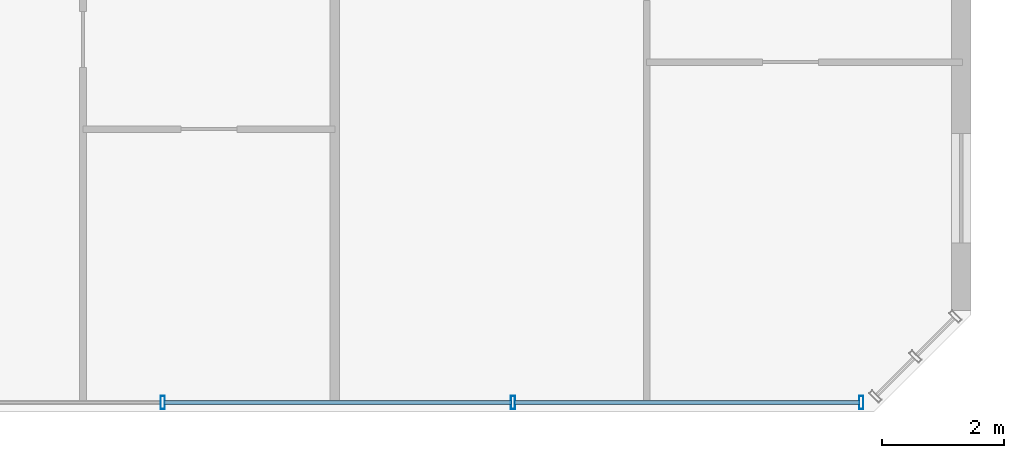
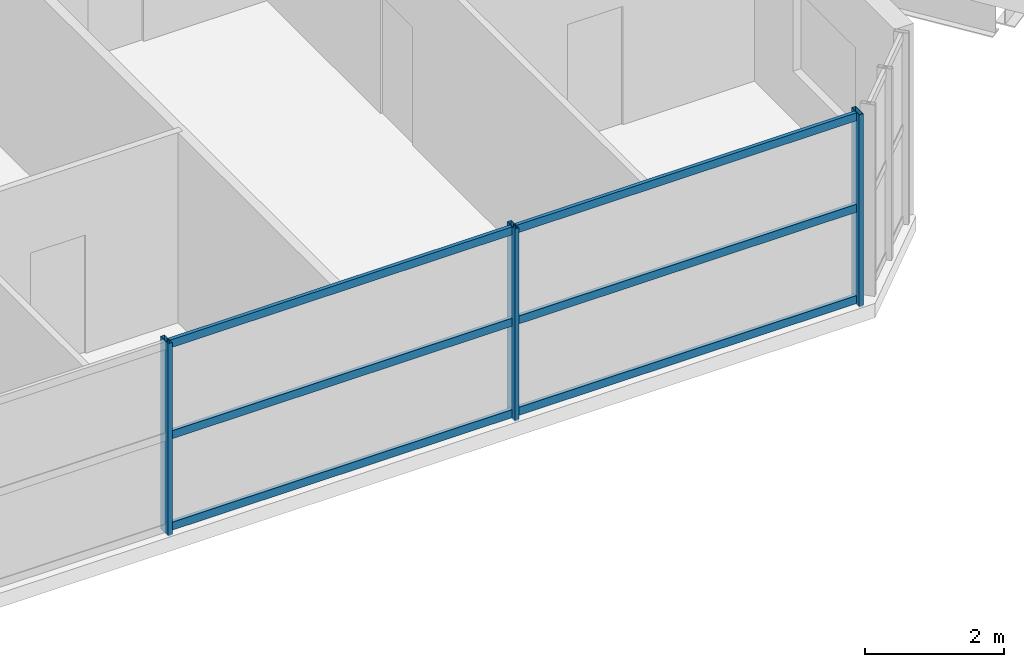
# One storey, part 7 of 24: 9 members, 1 element without a shape of its own.
"""IFC4 building model written with IfcOpenShell, lengths in metres."""

import ifcopenshell
import ifcopenshell.guid

model = None  # the IFC model being written
_history = None  # IfcOwnerHistory: only IFC2X3 demands one
_inside = {}  # id of a spatial element -> (the spatial element, [elements in it])
_under = {}  # id of a project, library or spatial element -> (it, [spatial elements below it])
_declared = {}  # id of a project -> (the project, [libraries it declares])
_typed = {}  # id of a type object -> (the type object, [elements of that type])
_made_of = {}  # id of a material, layer set ... -> (it, [elements and type objects made of it])


def new_model(schema):
    """Start an empty IFC model of exactly this schema.

    Asked for "IFC4X3", IfcOpenShell would pick the latest addendum, in which some entities
    have other attributes; the version numbers below select the first issue.
    IFC2X3 requires an IfcOwnerHistory on every rooted entity: one is made here for all.
    """
    global model, _history
    if schema == "IFC4X3":
        model = ifcopenshell.file(schema_version=(4, 3, 0, 0))
    else:
        model = ifcopenshell.file(schema=schema)
    _inside.clear()
    _under.clear()
    _declared.clear()
    _typed.clear()
    _made_of.clear()
    _history = None
    if model.schema == "IFC2X3":
        org = make("IfcOrganization", Name="unknown")
        user = make(
            "IfcPersonAndOrganization",
            ThePerson=make("IfcPerson", FamilyName="unknown"),
            TheOrganization=org,
        )
        app = make(
            "IfcApplication",
            ApplicationDeveloper=org,
            Version="unknown",
            ApplicationFullName="unknown",
            ApplicationIdentifier="unknown",
        )
        _history = make(
            "IfcOwnerHistory",
            OwningUser=user,
            OwningApplication=app,
            ChangeAction="ADDED",
            CreationDate=0,
        )
    return model


def make(cls, **values):
    """One entity of the class cls with the attributes given. An attribute that is None is left unset."""
    return model.create_entity(
        cls, **{name: value for name, value in values.items() if value is not None}
    )


def rooted(cls, **values):
    """An entity with a GlobalId (a new one), such as an element, a storey or a relation."""
    return make(cls, GlobalId=ifcopenshell.guid.new(), OwnerHistory=_history, **values)


def si_unit(unit_type, name, prefix=None):
    """IfcSIUnit, for example si_unit("LENGTHUNIT", "METRE", prefix="MILLI")."""
    return make("IfcSIUnit", UnitType=unit_type, Prefix=prefix, Name=name)


def assignment(units):
    """IfcUnitAssignment: the units of a project."""
    return None if units is None else make("IfcUnitAssignment", Units=units)


def point(xyz):
    """IfcCartesianPoint."""
    return None if xyz is None else make("IfcCartesianPoint", Coordinates=xyz)


def direction(xyz):
    """IfcDirection."""
    return None if xyz is None else make("IfcDirection", DirectionRatios=xyz)


def frame(location, z_axis=None, x_axis=None):
    """IfcAxis2Placement3D, a coordinate frame: its origin and axes. An axis left out is left unset."""
    return make(
        "IfcAxis2Placement3D",
        Location=point(location),
        Axis=direction(z_axis),
        RefDirection=direction(x_axis),
    )


def frame_2d(location, x_axis=None):
    """IfcAxis2Placement2D, a coordinate frame in the plane: its origin and x axis."""
    return make(
        "IfcAxis2Placement2D", Location=point(location), RefDirection=direction(x_axis)
    )


def origin():
    """The frame at (0, 0, 0) with its axes left unset."""
    return frame((0.0, 0.0, 0.0))


def origin_2d():
    """The frame at (0, 0) in the plane with its x axis left unset."""
    return frame_2d((0.0, 0.0))


def place(relative_to, where):
    """IfcLocalPlacement: puts the frame where relative to a parent placement (None: the world)."""
    return make(
        "IfcLocalPlacement", PlacementRelTo=relative_to, RelativePlacement=where
    )


def context(
    kind, dimensions, precision=None, world=None, true_north=None, identifier=None
):
    """IfcGeometricRepresentationContext, for example the 3D "Model" context."""
    return make(
        "IfcGeometricRepresentationContext",
        ContextIdentifier=identifier,
        ContextType=kind,
        CoordinateSpaceDimension=dimensions,
        Precision=precision,
        WorldCoordinateSystem=world,
        TrueNorth=true_north,
    )


def subcontext(parent, identifier, kind, view, scale=None):
    """IfcGeometricRepresentationSubContext, for example "Body" below "Model"."""
    return make(
        "IfcGeometricRepresentationSubContext",
        ContextIdentifier=identifier,
        ContextType=kind,
        ParentContext=parent,
        TargetScale=scale,
        TargetView=view,
    )


def project(units=None, contexts=None):
    """IfcProject with its units and contexts."""
    return rooted(
        "IfcProject",
        Name="project",
        RepresentationContexts=contexts,
        UnitsInContext=assignment(units),
    )


def spatial(cls, under=None, at=None, **own):
    """A site, building, storey or space (cls), placed at a placement, below another one or the project."""
    s = rooted(cls, ObjectPlacement=at, **own)
    if under is not None:
        _under.setdefault(under.id(), (under, []))[1].append(s)
    return s


def profile(cls, at=None, kind="AREA", **sizes):
    """A parametric profile (cls). Its sizes go by their IFC names, for example OverallWidth=200.0."""
    return make(cls, ProfileType=kind, Position=at, **sizes)


def hollow_rectangle(**sizes):
    """IfcRectangleHollowProfileDef."""
    return profile("IfcRectangleHollowProfileDef", **sizes)


def extrude(swept, where, along, depth):
    """IfcExtrudedAreaSolid: the profile swept, set in the frame where, extruded along a direction by depth."""
    return make(
        "IfcExtrudedAreaSolid",
        SweptArea=swept,
        Position=where,
        ExtrudedDirection=direction(along),
        Depth=depth,
    )


def shape(context_of_items, identifier, shape_type, items):
    """IfcShapeRepresentation: the items that make up one representation, for example the "Body"."""
    return make(
        "IfcShapeRepresentation",
        ContextOfItems=context_of_items,
        RepresentationIdentifier=identifier,
        RepresentationType=shape_type,
        Items=items,
    )


def source(mapping_origin, context_of_items, identifier, shape_type, items):
    """IfcRepresentationMap: a shape defined once, which mapped items show again and again."""
    return make(
        "IfcRepresentationMap",
        MappingOrigin=mapping_origin,
        MappedRepresentation=shape(context_of_items, identifier, shape_type, items),
    )


def transform(
    local_origin,
    x_axis=None,
    y_axis=None,
    z_axis=None,
    scale=None,
    scale2=None,
    scale3=None,
    uniform=True,
):
    """IfcCartesianTransformationOperator3D, or its non-uniform kind. x_axis, y_axis, z_axis: its Axis1, 2, 3."""
    if uniform:
        return make(
            "IfcCartesianTransformationOperator3D",
            Axis1=direction(x_axis),
            Axis2=direction(y_axis),
            LocalOrigin=point(local_origin),
            Scale=scale,
            Axis3=direction(z_axis),
        )
    return make(
        "IfcCartesianTransformationOperator3DnonUniform",
        Axis1=direction(x_axis),
        Axis2=direction(y_axis),
        LocalOrigin=point(local_origin),
        Scale=scale,
        Axis3=direction(z_axis),
        Scale2=scale2,
        Scale3=scale3,
    )


def mapped(mapping_source, mapping_target):
    """IfcMappedItem: shows the shape of a source again, moved by a transform."""
    return make(
        "IfcMappedItem", MappingSource=mapping_source, MappingTarget=mapping_target
    )


def material(Name=None, Category=None):
    """IfcMaterial."""
    return make("IfcMaterial", Name=Name, Category=Category)


def material_profile(
    of_material, cross_section, Name=None, Category=None, Priority=None
):
    """IfcMaterialProfile: a cross section and its material."""
    return make(
        "IfcMaterialProfile",
        Name=Name,
        Material=of_material,
        Profile=cross_section,
        Priority=Priority,
        Category=Category,
    )


def profile_set(profiles, Name=None, composite=None):
    """IfcMaterialProfileSet."""
    return make(
        "IfcMaterialProfileSet",
        Name=Name,
        MaterialProfiles=profiles,
        CompositeProfile=composite,
    )


def made_of(thing, what):
    """Note that an element or type object is made of a material, layer set ...; save() writes the relation."""
    if what is not None:
        _made_of.setdefault(what.id(), (what, []))[1].append(thing)
    return thing


def type_object(cls, material=None, **own):
    """A type object (cls), such as IfcWallType, which elements share."""
    return made_of(rooted(cls, **own), material)


def element(
    cls,
    number,
    at=None,
    inside=None,
    cuts=None,
    type_object=None,
    material=None,
    context=None,
    identifier="Body",
    shape_type=None,
    held_by="IfcProductDefinitionShape",
    body=None,
    shapes=None,
    **own,
):
    """One element of the class cls, such as IfcWall. Its Tag is "e" and its number.

    at: its placement. inside: the storey or other place that contains it. cuts: it is an
    opening in that element (IfcRelVoidsElement). A single representation is given by context,
    identifier, shape_type and body (its items); several are given by shapes. held_by: the class
    of the entity that holds the representations. save() writes the other relations.
    """
    e = rooted(cls, Tag="e%d" % number, ObjectPlacement=at, **own)
    if body is not None:
        shapes = [shape(context, identifier, shape_type, body)]
    if shapes is not None:
        e.Representation = make(held_by, Representations=shapes)
    if inside is not None:
        _inside.setdefault(inside.id(), (inside, []))[1].append(e)
    if cuts is not None:
        rooted(
            "IfcRelVoidsElement", RelatingBuildingElement=cuts, RelatedOpeningElement=e
        )
    if type_object is not None:
        _typed.setdefault(type_object.id(), (type_object, []))[1].append(e)
    return made_of(e, material)


def aggregate(whole, parts):
    """IfcRelAggregates: a whole, such as a stair, and the parts it consists of."""
    return rooted("IfcRelAggregates", RelatingObject=whole, RelatedObjects=parts)


def save(model, path):
    """Write the relations noted so far, then the file.

    IfcRelAggregates (storeys below a building ...), IfcRelContainedInSpatialStructure (elements
    in a storey), IfcRelDefinesByType, IfcRelAssociatesMaterial and IfcRelDeclares: one each for
    every whole, place, type object, material and project.
    """
    for whole, parts in _under.values():
        aggregate(whole, parts)
    for where, things in _inside.values():
        rooted(
            "IfcRelContainedInSpatialStructure",
            RelatedElements=things,
            RelatingStructure=where,
        )
    for kind, things in _typed.values():
        rooted("IfcRelDefinesByType", RelatedObjects=things, RelatingType=kind)
    for what, things in _made_of.values():
        rooted("IfcRelAssociatesMaterial", RelatedObjects=things, RelatingMaterial=what)
    for by, libraries in _declared.values():
        rooted("IfcRelDeclares", RelatingContext=by, RelatedDefinitions=libraries)
    model.write(path)


model = new_model("IFC4")

# Units and contexts
model_context = context("Model", 3, precision=1e-05, world=origin(), true_north=direction((0.0, 1.0)))
body_context = subcontext(model_context, "Body", "Model", "MODEL_VIEW")
ifc_project = project(units=[si_unit("LENGTHUNIT", "METRE"), si_unit("AREAUNIT", "SQUARE_METRE"), si_unit("VOLUMEUNIT", "CUBIC_METRE"), si_unit("PLANEANGLEUNIT", "RADIAN"), si_unit("MASSUNIT", "GRAM", prefix="KILO")], contexts=[model_context])

# Site, building, storey
site_placement = place(None, origin())
site = spatial("IfcSite", under=ifc_project, at=site_placement, CompositionType="ELEMENT")
building_placement = place(site_placement, origin())
building = spatial("IfcBuilding", under=site, at=building_placement, Name="Tlacorven Tower", CompositionType="ELEMENT")
storey_placement = place(building_placement, frame((0.0, 0.0, 38.39990234375)))
storey = spatial("IfcBuildingStorey", under=building, at=storey_placement, Name="L09", CompositionType="ELEMENT", Elevation=38.39990234375)

# Curtain wall, members
ifc_material_1 = material(Name="Dark solar low-E double glazing in aluminium frame", Category="aluminium")
curtain_wall_type = type_object("IfcCurtainWallType", Name="CW-TWR-LOW", PredefinedType="USERDEFINED", material=ifc_material_1)
curtain_wall_placement = place(storey_placement, origin())
curtain_wall = element("IfcCurtainWall", 1, at=curtain_wall_placement, inside=storey, type_object=curtain_wall_type, Name="L09 CW-TWR-LOW Curtain Wall 46", ObjectType="UNITISED CURTAIN WALL", PredefinedType="USERDEFINED")
ifc_material_2 = material(Name="Aluminium 6063-T6 anodised", Category="aluminium")
ifc_material_profile_1 = material_profile(ifc_material_2, hollow_rectangle(XDim=0.070068359375, YDim=0.219970703125, WallThickness=0.0048828125, at=origin_2d()), Name="ALU MULLION 70X220")
ifc_profile_set_1 = profile_set([ifc_material_profile_1], Name="Aluminium 6063-T6 anodised")
member_type_1 = type_object("IfcMemberType", Name="CWM-01", PredefinedType="MULLION", material=ifc_profile_set_1)
shared_shape_1 = source(origin(), body_context, "Body", "SweptSolid", [
    extrude(hollow_rectangle(XDim=0.070068359375, YDim=0.219970703125, WallThickness=0.0048828125, at=origin_2d()), origin(), (0.0, 0.0, 1.0), 3.380126953125),
])
member_1_placement = place(storey_placement, frame((50.5986328125, 1.9599609375, -0.02001953125), z_axis=(0.0, 0.0, 1.0), x_axis=(-1.0, 0.0, 0.0)))
member_1 = element("IfcMember", 2, at=member_1_placement, type_object=member_type_1, Name="CW-L09-046 Mullion 1", PredefinedType="MULLION", context=body_context, shape_type="MappedRepresentation", body=[
    mapped(shared_shape_1, transform((0.0, 0.0, 0.0), scale=1.0)),
])
member_2_placement = place(storey_placement, frame((44.8779296875, 1.9599609375, -0.02001953125), z_axis=(0.0, 0.0, 1.0), x_axis=(-1.0, 0.0, 0.0)))
member_2 = element("IfcMember", 3, at=member_2_placement, type_object=member_type_1, Name="CW-L09-046 Mullion 2", PredefinedType="MULLION", context=body_context, shape_type="MappedRepresentation", body=[
    mapped(shared_shape_1, transform((0.0, 0.0, 0.0), scale=1.0)),
])
member_3_placement = place(storey_placement, frame((39.1220703125, 1.9599609375, -0.02001953125), z_axis=(0.0, 0.0, 1.0), x_axis=(-1.0, 0.0, 0.0)))
member_3 = element("IfcMember", 4, at=member_3_placement, type_object=member_type_1, Name="CW-L09-046 Mullion 3", PredefinedType="MULLION", context=body_context, shape_type="MappedRepresentation", body=[
    mapped(shared_shape_1, transform((0.0, 0.0, 0.0), scale=1.0)),
])
ifc_material_profile_2 = material_profile(ifc_material_2, hollow_rectangle(XDim=0.06005859375, YDim=0.139892578125, WallThickness=0.00390625, at=origin_2d()), Name="ALU TRANSOM 60X140")
ifc_profile_set_2 = profile_set([ifc_material_profile_2], Name="Aluminium 6063-T6 anodised")
member_type_2 = type_object("IfcMemberType", Name="CWT-02", PredefinedType="USERDEFINED", material=ifc_profile_set_2)
shared_shape_2 = source(origin(), body_context, "Body", "SweptSolid", [
    extrude(hollow_rectangle(XDim=0.06005859375, YDim=0.139892578125, WallThickness=0.00390625, at=origin_2d()), origin(), (0.0, 0.0, 1.0), 5.6748046875),
])
member_4_placement = place(storey_placement, frame((50.57568359375, 1.9599609375, 0.070068359375), z_axis=(-1.0, 0.0, 0.0), x_axis=(0.0, -1.0, 0.0)))
member_4 = element("IfcMember", 5, at=member_4_placement, type_object=member_type_2, Name="CW-L09-046 Transom 1", ObjectType="TRANSOM", PredefinedType="USERDEFINED", context=body_context, shape_type="MappedRepresentation", body=[
    mapped(shared_shape_2, transform((0.0, 0.0, 0.0), scale=1.0)),
])
member_5_placement = place(storey_placement, frame((50.57568359375, 1.9599609375, 1.675048828125), z_axis=(-1.0, 0.0, 0.0), x_axis=(0.0, -1.0, 0.0)))
member_5 = element("IfcMember", 6, at=member_5_placement, type_object=member_type_2, Name="CW-L09-046 Transom 2", ObjectType="TRANSOM", PredefinedType="USERDEFINED", context=body_context, shape_type="MappedRepresentation", body=[
    mapped(shared_shape_2, transform((0.0, 0.0, 0.0), scale=1.0)),
])
member_6_placement = place(storey_placement, frame((50.57568359375, 1.9599609375, 3.280029296875), z_axis=(-1.0, 0.0, 0.0), x_axis=(0.0, -1.0, 0.0)))
member_6 = element("IfcMember", 7, at=member_6_placement, type_object=member_type_2, Name="CW-L09-046 Transom 3", ObjectType="TRANSOM", PredefinedType="USERDEFINED", context=body_context, shape_type="MappedRepresentation", body=[
    mapped(shared_shape_2, transform((0.0, 0.0, 0.0), scale=1.0)),
])
shared_shape_3 = source(origin(), body_context, "Body", "SweptSolid", [
    extrude(hollow_rectangle(XDim=0.06005859375, YDim=0.139892578125, WallThickness=0.00390625, at=origin_2d()), origin(), (0.0, 0.0, 1.0), 5.7099609375),
])
member_7_placement = place(storey_placement, frame((44.85498046875, 1.9599609375, 0.070068359375), z_axis=(-1.0, 0.0, 0.0), x_axis=(0.0, -1.0, 0.0)))
member_7 = element("IfcMember", 8, at=member_7_placement, type_object=member_type_2, Name="CW-L09-046 Transom 4", ObjectType="TRANSOM", PredefinedType="USERDEFINED", context=body_context, shape_type="MappedRepresentation", body=[
    mapped(shared_shape_3, transform((0.0, 0.0, 0.0), scale=1.0)),
])
member_8_placement = place(storey_placement, frame((44.85498046875, 1.9599609375, 1.675048828125), z_axis=(-1.0, 0.0, 0.0), x_axis=(0.0, -1.0, 0.0)))
member_8 = element("IfcMember", 9, at=member_8_placement, type_object=member_type_2, Name="CW-L09-046 Transom 5", ObjectType="TRANSOM", PredefinedType="USERDEFINED", context=body_context, shape_type="MappedRepresentation", body=[
    mapped(shared_shape_3, transform((0.0, 0.0, 0.0), scale=1.0)),
])
member_9_placement = place(storey_placement, frame((44.85498046875, 1.9599609375, 3.280029296875), z_axis=(-1.0, 0.0, 0.0), x_axis=(0.0, -1.0, 0.0)))
member_9 = element("IfcMember", 10, at=member_9_placement, type_object=member_type_2, Name="CW-L09-046 Transom 6", ObjectType="TRANSOM", PredefinedType="USERDEFINED", context=body_context, shape_type="MappedRepresentation", body=[
    mapped(shared_shape_3, transform((0.0, 0.0, 0.0), scale=1.0)),
])
aggregate(curtain_wall, [member_1, member_2, member_3, member_4, member_5, member_6, member_7, member_8, member_9])

save(model, "model.ifc")
